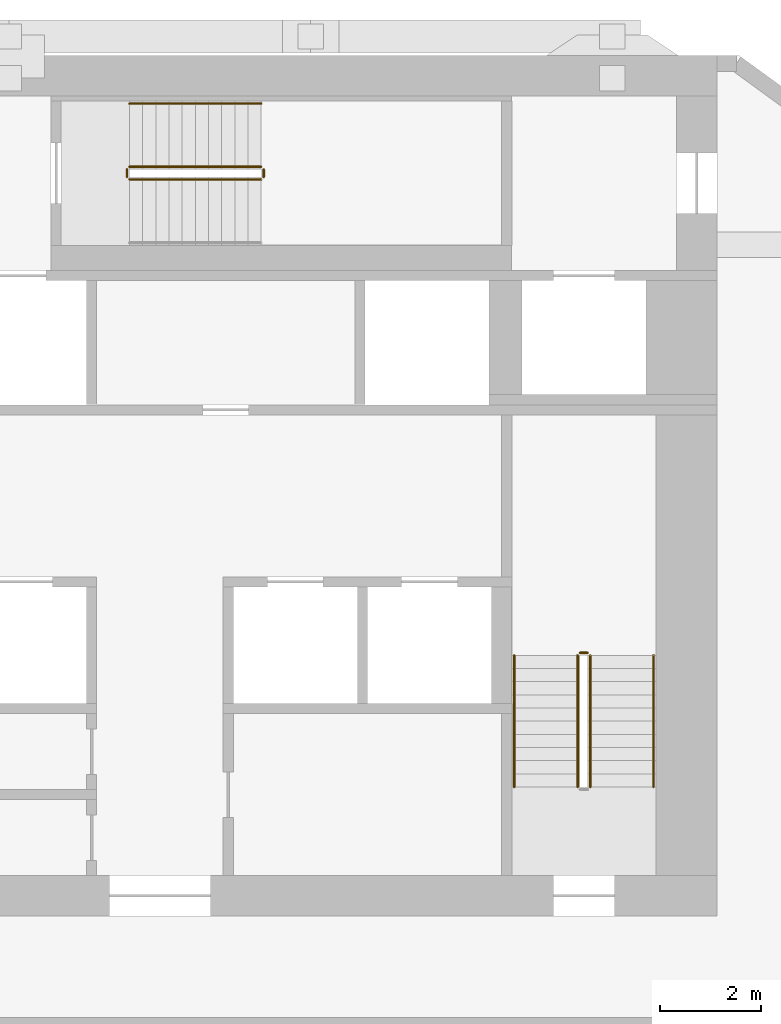
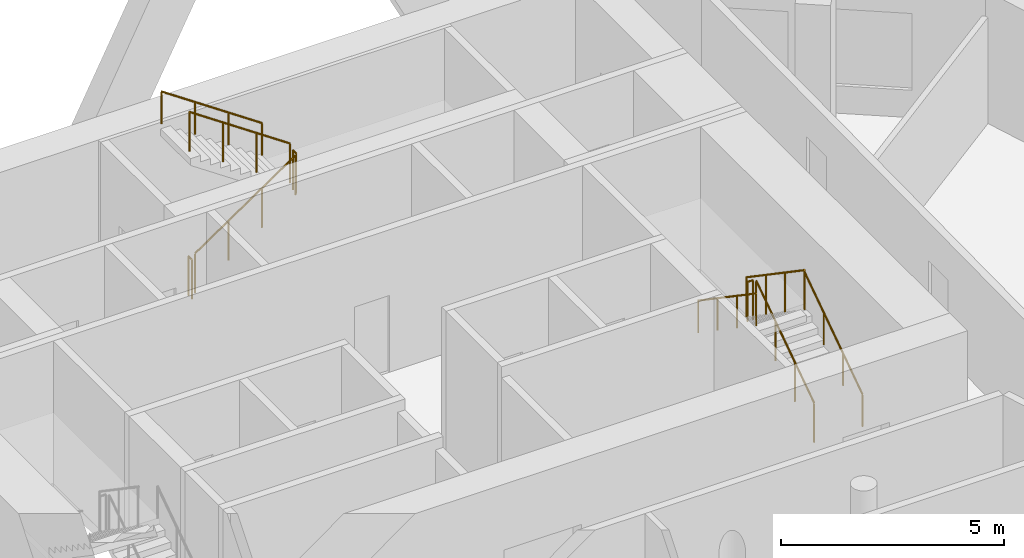
# One storey, part 10 of 10: 10 railings.
"""IFC4 building model written with IfcOpenShell, lengths in metres."""

from ifc_helpers import new_model, si_unit, direction, frame, origin, origin_2d, place, context, subcontext, project, spatial, circle, extrude, material, type_object, element, save


model = new_model("IFC4")

# Units and contexts
model_context = context("Model", 3, precision=1e-05, world=origin(), true_north=direction((0.0, 1.0)))
body_context = subcontext(model_context, "Body", "Model", "MODEL_VIEW")
ifc_project = project(units=[si_unit("LENGTHUNIT", "METRE"), si_unit("AREAUNIT", "SQUARE_METRE"), si_unit("VOLUMEUNIT", "CUBIC_METRE"), si_unit("PLANEANGLEUNIT", "RADIAN"), si_unit("MASSUNIT", "GRAM", prefix="KILO")], contexts=[model_context])

# Site, building, storey
site_placement = place(None, origin())
site = spatial("IfcSite", under=ifc_project, at=site_placement, CompositionType="ELEMENT")
building_placement = place(site_placement, origin())
building = spatial("IfcBuilding", under=site, at=building_placement, Name="White Candle Pilgrim Tower", CompositionType="ELEMENT")
storey_placement = place(building_placement, frame((0.0, 0.0, 196.5)))
storey = spatial("IfcBuildingStorey", under=building, at=storey_placement, Name="L45", CompositionType="ELEMENT", Elevation=196.5)

# Railings
ifc_material = material(Name="Stainless steel", Category="steel")
railing_type_1 = type_object("IfcRailingType", Name="Stair guard stainless steel 1100 mm", PredefinedType="GUARDRAIL", material=ifc_material)
railing_1_placement = place(storey_placement, frame((78.5, 73.550048828125, 0.17724609375)))
element("IfcRailing", 1, at=railing_1_placement, inside=storey, type_object=railing_type_1, Name="L45 ST2 stair guard 1", PredefinedType="GUARDRAIL", context=body_context, shape_type="SweptSolid", body=[
    extrude(circle(Radius=0.02392578125, at=origin_2d()), frame((0.0, 0.0, 1.076171875), z_axis=(0.0, 0.826215852431, 0.563353676824), x_axis=(-1.0, 0.0, 0.0)), (0.0, 0.0, 1.0), 3.146728515625),
    extrude(circle(Radius=0.02099609375, at=origin_2d()), origin(), (0.0, 0.0, 1.0), 1.052001953125),
    extrude(circle(Radius=0.02099609375, at=origin_2d()), frame((0.0, 0.86669921875, 0.5908203125)), (0.0, 0.0, 1.0), 1.052001953125),
    extrude(circle(Radius=0.02099609375, at=origin_2d()), frame((0.0, 1.733154296875, 1.181884765625)), (0.0, 0.0, 1.0), 1.052001953125),
    extrude(circle(Radius=0.02099609375, at=origin_2d()), frame((0.0, 2.599853515625, 1.772705078125)), (0.0, 0.0, 1.0), 1.052001953125),
])
railing_2_placement = place(storey_placement, frame((78.449951171875, 76.199951171875, 1.949951171875)))
element("IfcRailing", 2, at=railing_2_placement, inside=storey, type_object=railing_type_1, Name="L45 ST2 stair guard 2", PredefinedType="GUARDRAIL", context=body_context, shape_type="SweptSolid", body=[
    extrude(circle(Radius=0.02392578125, at=origin_2d()), frame((0.0, 0.0, 1.076171875), z_axis=(-1.0, 0.0, 0.0), x_axis=(0.0, -1.0, 0.0)), (0.0, 0.0, 1.0), 0.14990234375),
    extrude(circle(Radius=0.02099609375, at=origin_2d()), origin(), (0.0, 0.0, 1.0), 1.052001953125),
    extrude(circle(Radius=0.02099609375, at=origin_2d()), frame((-0.14990234375, 0.0, 0.0)), (0.0, 0.0, 1.0), 1.052001953125),
])
railing_3_placement = place(storey_placement, frame((78.25, 76.14990234375, 2.127197265625)))
element("IfcRailing", 3, at=railing_3_placement, inside=storey, type_object=railing_type_1, Name="L45 ST2 stair guard 3", PredefinedType="GUARDRAIL", context=body_context, shape_type="SweptSolid", body=[
    extrude(circle(Radius=0.02392578125, at=origin_2d()), frame((0.0, 0.0, 1.076171875), z_axis=(0.0, -0.826215852431, 0.563353676824), x_axis=(1.0, 0.0, 0.0)), (0.0, 0.0, 1.0), 3.146728515625),
    extrude(circle(Radius=0.02099609375, at=origin_2d()), origin(), (0.0, 0.0, 1.0), 1.052001953125),
    extrude(circle(Radius=0.02099609375, at=origin_2d()), frame((0.0, -0.86669921875, 0.5908203125)), (0.0, 0.0, 1.0), 1.052001953125),
    extrude(circle(Radius=0.02099609375, at=origin_2d()), frame((0.0, -1.733154296875, 1.181884765625)), (0.0, 0.0, 1.0), 1.052001953125),
    extrude(circle(Radius=0.02099609375, at=origin_2d()), frame((0.0, -2.599853515625, 1.772705078125)), (0.0, 0.0, 1.0), 1.052001953125),
])
railing_4_placement = place(storey_placement, frame((69.39990234375, 85.550048828125, 0.17724609375)))
element("IfcRailing", 4, at=railing_4_placement, inside=storey, type_object=railing_type_1, Name="L45 ST3 stair guard 1", PredefinedType="GUARDRAIL", context=body_context, shape_type="SweptSolid", body=[
    extrude(circle(Radius=0.02392578125, at=origin_2d()), frame((0.0, 0.0, 1.076171875), z_axis=(0.826240473404, 0.0, 0.563317565952), x_axis=(0.0, 1.0, 0.0)), (0.0, 0.0, 1.0), 3.14697265625),
    extrude(circle(Radius=0.02099609375, at=origin_2d()), origin(), (0.0, 0.0, 1.0), 1.052001953125),
    extrude(circle(Radius=0.02099609375, at=origin_2d()), frame((0.86669921875, 0.0, 0.5908203125)), (0.0, 0.0, 1.0), 1.052001953125),
    extrude(circle(Radius=0.02099609375, at=origin_2d()), frame((1.7333984375, 0.0, 1.181884765625)), (0.0, 0.0, 1.0), 1.052001953125),
    extrude(circle(Radius=0.02099609375, at=origin_2d()), frame((2.60009765625, 0.0, 1.772705078125)), (0.0, 0.0, 1.0), 1.052001953125),
])
railing_5_placement = place(storey_placement, frame((72.050048828125, 85.60009765625, 1.949951171875)))
element("IfcRailing", 5, at=railing_5_placement, inside=storey, type_object=railing_type_1, Name="L45 ST3 stair guard 2", PredefinedType="GUARDRAIL", context=body_context, shape_type="SweptSolid", body=[
    extrude(circle(Radius=0.02392578125, at=origin_2d()), frame((0.0, 0.0, 1.076171875), z_axis=(0.0, 1.0, 0.0), x_axis=(-1.0, 0.0, 0.0)), (0.0, 0.0, 1.0), 0.14990234375),
    extrude(circle(Radius=0.02099609375, at=origin_2d()), origin(), (0.0, 0.0, 1.0), 1.052001953125),
    extrude(circle(Radius=0.02099609375, at=origin_2d()), frame((0.0, 0.14990234375, 0.0)), (0.0, 0.0, 1.0), 1.052001953125),
])
railing_6_placement = place(storey_placement, frame((72.0, 85.800048828125, 2.127197265625)))
element("IfcRailing", 6, at=railing_6_placement, inside=storey, type_object=railing_type_1, Name="L45 ST3 stair guard 3", PredefinedType="GUARDRAIL", context=body_context, shape_type="SweptSolid", body=[
    extrude(circle(Radius=0.02392578125, at=origin_2d()), frame((0.0, 0.0, 1.076171875), z_axis=(-0.826240473404, 0.0, 0.563317565952), x_axis=(0.0, -1.0, 0.0)), (0.0, 0.0, 1.0), 3.14697265625),
    extrude(circle(Radius=0.02099609375, at=origin_2d()), origin(), (0.0, 0.0, 1.0), 1.052001953125),
    extrude(circle(Radius=0.02099609375, at=origin_2d()), frame((-0.86669921875, 0.0, 0.5908203125)), (0.0, 0.0, 1.0), 1.052001953125),
    extrude(circle(Radius=0.02099609375, at=origin_2d()), frame((-1.7333984375, 0.0, 1.181884765625)), (0.0, 0.0, 1.0), 1.052001953125),
    extrude(circle(Radius=0.02099609375, at=origin_2d()), frame((-2.60009765625, 0.0, 1.772705078125)), (0.0, 0.0, 1.0), 1.052001953125),
])
railing_7_placement = place(storey_placement, frame((69.35009765625, 85.60009765625, 0.0)))
element("IfcRailing", 7, at=railing_7_placement, inside=storey, type_object=railing_type_1, Name="L45 ST3 stair guard 4", PredefinedType="GUARDRAIL", context=body_context, shape_type="SweptSolid", body=[
    extrude(circle(Radius=0.02392578125, at=origin_2d()), frame((0.0, 0.0, 1.076171875), z_axis=(0.0, 1.0, 0.0), x_axis=(-1.0, 0.0, 0.0)), (0.0, 0.0, 1.0), 0.14990234375),
    extrude(circle(Radius=0.02099609375, at=origin_2d()), origin(), (0.0, 0.0, 1.0), 1.052001953125),
    extrude(circle(Radius=0.02099609375, at=origin_2d()), frame((0.0, 0.14990234375, 0.0)), (0.0, 0.0, 1.0), 1.052001953125),
])
railing_type_2 = type_object("IfcRailingType", Name="Stair handrail stainless steel", PredefinedType="HANDRAIL", material=ifc_material)
railing_8_placement = place(storey_placement, frame((79.75, 73.550048828125, 0.17724609375)))
element("IfcRailing", 8, at=railing_8_placement, inside=storey, type_object=railing_type_2, Name="L45 ST2 stair handrail 1", PredefinedType="HANDRAIL", context=body_context, shape_type="SweptSolid", body=[
    extrude(circle(Radius=0.02392578125, at=origin_2d()), frame((0.0, 0.0, 0.8759765625), z_axis=(0.0, 0.826215852431, 0.563353676824), x_axis=(-1.0, 0.0, 0.0)), (0.0, 0.0, 1.0), 3.146728515625),
    extrude(circle(Radius=0.02099609375, at=origin_2d()), origin(), (0.0, 0.0, 1.0), 0.851806640625),
    extrude(circle(Radius=0.02099609375, at=origin_2d()), frame((0.0, 0.86669921875, 0.5908203125)), (0.0, 0.0, 1.0), 0.851806640625),
    extrude(circle(Radius=0.02099609375, at=origin_2d()), frame((0.0, 1.733154296875, 1.181884765625)), (0.0, 0.0, 1.0), 0.851806640625),
    extrude(circle(Radius=0.02099609375, at=origin_2d()), frame((0.0, 2.599853515625, 1.772705078125)), (0.0, 0.0, 1.0), 0.851806640625),
])
railing_9_placement = place(storey_placement, frame((77.0, 76.14990234375, 2.127197265625)))
element("IfcRailing", 9, at=railing_9_placement, inside=storey, type_object=railing_type_2, Name="L45 ST2 stair handrail 2", PredefinedType="HANDRAIL", context=body_context, shape_type="SweptSolid", body=[
    extrude(circle(Radius=0.02392578125, at=origin_2d()), frame((0.0, 0.0, 0.8759765625), z_axis=(0.0, -0.826215852431, 0.563353676824), x_axis=(1.0, 0.0, 0.0)), (0.0, 0.0, 1.0), 3.146728515625),
    extrude(circle(Radius=0.02099609375, at=origin_2d()), origin(), (0.0, 0.0, 1.0), 0.851806640625),
    extrude(circle(Radius=0.02099609375, at=origin_2d()), frame((0.0, -0.86669921875, 0.5908203125)), (0.0, 0.0, 1.0), 0.851806640625),
    extrude(circle(Radius=0.02099609375, at=origin_2d()), frame((0.0, -1.733154296875, 1.181884765625)), (0.0, 0.0, 1.0), 0.851806640625),
    extrude(circle(Radius=0.02099609375, at=origin_2d()), frame((0.0, -2.599853515625, 1.772705078125)), (0.0, 0.0, 1.0), 0.851806640625),
])
railing_10_placement = place(storey_placement, frame((72.0, 87.050048828125, 2.127197265625)))
element("IfcRailing", 10, at=railing_10_placement, inside=storey, type_object=railing_type_2, Name="L45 ST3 stair handrail 2", PredefinedType="HANDRAIL", context=body_context, shape_type="SweptSolid", body=[
    extrude(circle(Radius=0.02392578125, at=origin_2d()), frame((0.0, 0.0, 0.8759765625), z_axis=(-0.826240473404, 0.0, 0.563317565952), x_axis=(0.0, -1.0, 0.0)), (0.0, 0.0, 1.0), 3.14697265625),
    extrude(circle(Radius=0.02099609375, at=origin_2d()), origin(), (0.0, 0.0, 1.0), 0.851806640625),
    extrude(circle(Radius=0.02099609375, at=origin_2d()), frame((-0.86669921875, 0.0, 0.5908203125)), (0.0, 0.0, 1.0), 0.851806640625),
    extrude(circle(Radius=0.02099609375, at=origin_2d()), frame((-1.7333984375, 0.0, 1.181884765625)), (0.0, 0.0, 1.0), 0.851806640625),
    extrude(circle(Radius=0.02099609375, at=origin_2d()), frame((-2.60009765625, 0.0, 1.772705078125)), (0.0, 0.0, 1.0), 0.851806640625),
])

save(model, "model.ifc")
